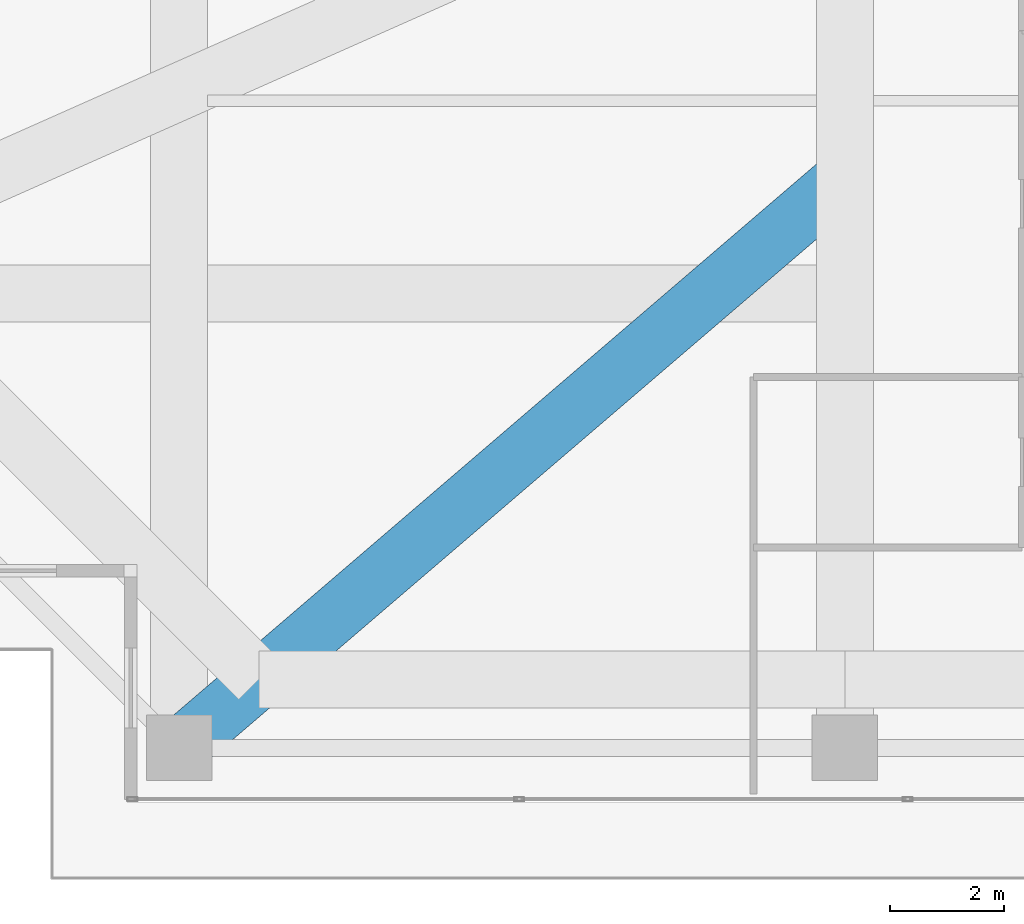
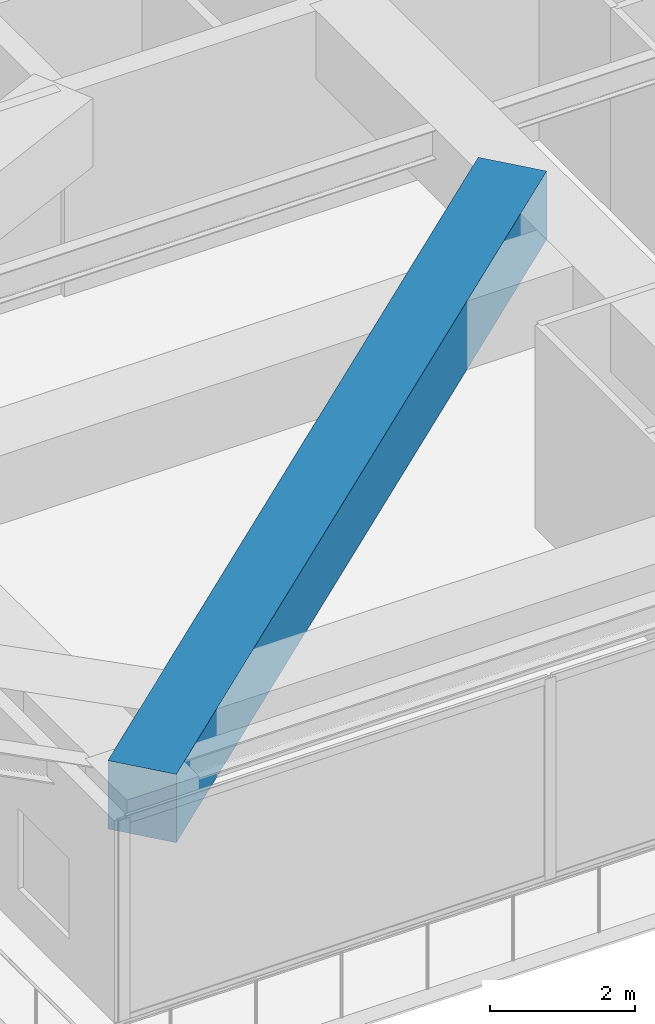
# One storey, part 6 of 39: 1 beam.
"""IFC4 building model written with IfcOpenShell, lengths in metres."""

from ifc_helpers import new_model, si_unit, direction, frame, origin, origin_2d, place, context, subcontext, project, spatial, rectangle, extrude, source, transform, mapped, material, material_profile, profile_set, type_object, element, save


model = new_model("IFC4")

# Units and contexts
model_context = context("Model", 3, precision=1e-05, world=origin(), true_north=direction((0.0, 1.0)))
body_context = subcontext(model_context, "Body", "Model", "MODEL_VIEW")
ifc_project = project(units=[si_unit("LENGTHUNIT", "METRE"), si_unit("AREAUNIT", "SQUARE_METRE"), si_unit("VOLUMEUNIT", "CUBIC_METRE"), si_unit("PLANEANGLEUNIT", "RADIAN"), si_unit("MASSUNIT", "GRAM", prefix="KILO")], contexts=[model_context])

# Site, building, storey
site_placement = place(None, origin())
site = spatial("IfcSite", under=ifc_project, at=site_placement, CompositionType="ELEMENT")
building_placement = place(site_placement, origin())
building = spatial("IfcBuilding", under=site, at=building_placement, Name="Serunith Strait Residences", CompositionType="ELEMENT")
storey_placement = place(building_placement, frame((0.0, 0.0, 283.60009765625)))
storey = spatial("IfcBuildingStorey", under=building, at=storey_placement, Name="L71", CompositionType="ELEMENT", Elevation=283.60009765625)

# Beam
ifc_material = material(Name="Concrete C80/95", Category="concrete")
ifc_material_profile = material_profile(ifc_material, rectangle(XDim=1.0, YDim=1.14990234375, at=origin_2d()), Name="RC 1000x1150")
ifc_profile_set = profile_set([ifc_material_profile], Name="Concrete C80/95")
beam_type = type_object("IfcBeamType", Name="BM-XFER-1000x1150", PredefinedType="BEAM", material=ifc_profile_set)
shared_shape = source(origin(), body_context, "Body", "SweptSolid", [
    extrude(rectangle(XDim=1.0, YDim=1.14990234375, at=origin_2d()), origin(), (0.0, 0.0, 1.0), 15.34375),
])
beam_placement = place(storey_placement, frame((16.25, 2.10009765625, 2.8349609375), z_axis=(0.759257725518, 0.650790063109, 0.0), x_axis=(-0.650790063109, 0.759257725518, 0.0)))
element("IfcBeam", 1, at=beam_placement, inside=storey, type_object=beam_type, Name="L71 Diagonal Corner Transfer Girder TC-S1", PredefinedType="BEAM", context=body_context, shape_type="MappedRepresentation", body=[
    mapped(shared_shape, transform((0.0, 0.0, 0.0), scale=1.0)),
])

save(model, "model.ifc")
